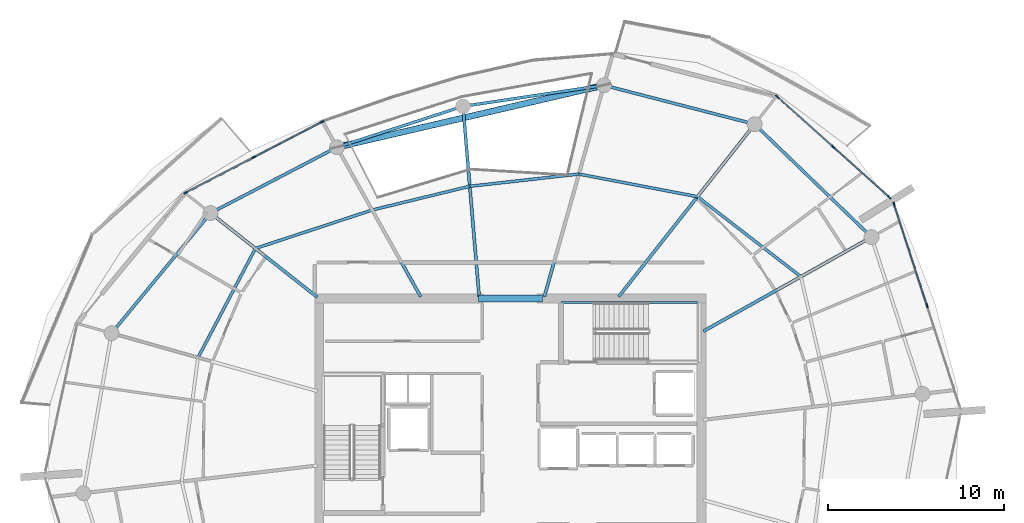
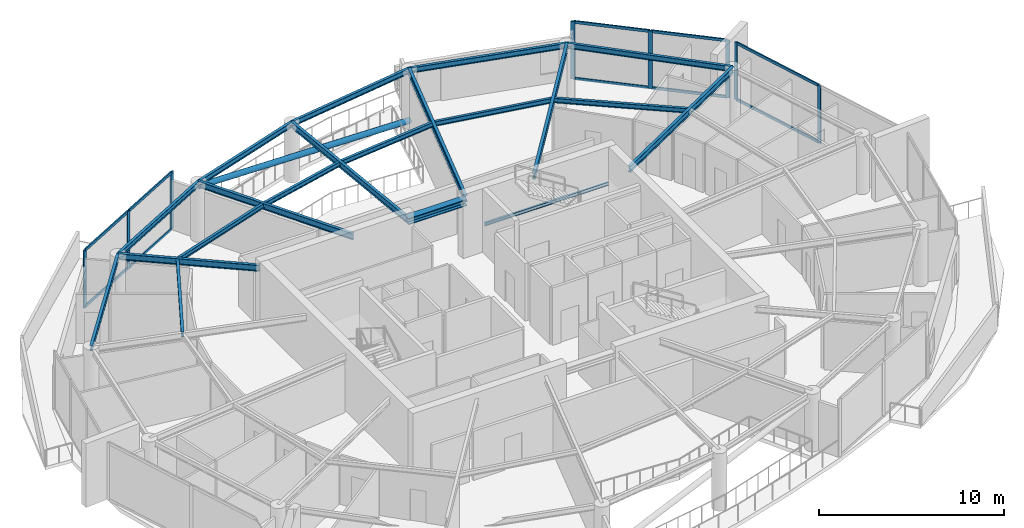
# One storey, part 7 of 21: 20 beams, 19 members, 3 elements without a shape of their own.
"""IFC4 building model written with IfcOpenShell, lengths in metres."""

from ifc_helpers import new_model, si_unit, direction, frame, origin, origin_2d, place, context, subcontext, project, spatial, rectangle, hollow_circle, i_section, extrude, material, layer, layer_set, material_profile, profile_set, type_object, element, aggregate, save


model = new_model("IFC4")

# Units and contexts
model_context = context("Model", 3, precision=1e-05, world=origin(), true_north=direction((0.0, 1.0)))
body_context = subcontext(model_context, "Body", "Model", "MODEL_VIEW")
ifc_project = project(units=[si_unit("LENGTHUNIT", "METRE"), si_unit("AREAUNIT", "SQUARE_METRE"), si_unit("VOLUMEUNIT", "CUBIC_METRE"), si_unit("PLANEANGLEUNIT", "RADIAN"), si_unit("MASSUNIT", "GRAM", prefix="KILO")], contexts=[model_context])

# Site, building, storey
site_placement = place(None, origin())
site = spatial("IfcSite", under=ifc_project, at=site_placement, CompositionType="ELEMENT")
building_placement = place(site_placement, origin())
building = spatial("IfcBuilding", under=site, at=building_placement, Name="Kazma Halo Residences", CompositionType="ELEMENT")
storey_placement = place(building_placement, frame((0.0, 0.0, 338.89990234375)))
storey = spatial("IfcBuildingStorey", under=building, at=storey_placement, Name="L85", CompositionType="ELEMENT", Elevation=338.89990234375)

# Beams
ifc_material_1 = material(Name="Steel S355", Category="steel")
ifc_material_profile_1 = material_profile(ifc_material_1, i_section(OverallWidth=0.408935546875, OverallDepth=0.425048828125, WebThickness=0.03271484375, FlangeThickness=0.052490234375, FilletRadius=0.02001953125, at=origin_2d()), Name="W360x421")
ifc_profile_set_1 = profile_set([ifc_material_profile_1], Name="Steel S355")
beam_type_1 = type_object("IfcBeamType", Name="BM-CORE-W360H", PredefinedType="BEAM", material=ifc_profile_set_1)
beam_1_placement = place(storey_placement, frame((46.60009765625, 50.25, 3.587646484375), z_axis=(1.0, 0.0, 0.0), x_axis=(0.0, 1.0, 0.0)))
element("IfcBeam", 1, at=beam_1_placement, inside=storey, type_object=beam_type_1, Name="L85 core coupling beam N", PredefinedType="BEAM", context=body_context, shape_type="SweptSolid", body=[
    extrude(i_section(OverallWidth=0.408935546875, OverallDepth=0.425048828125, WebThickness=0.03271484375, FlangeThickness=0.052490234375, FilletRadius=0.02001953125, at=origin_2d()), origin(), (0.0, 0.0, 1.0), 3.64990234375),
])
ifc_material_profile_2 = material_profile(ifc_material_1, i_section(OverallWidth=0.177978515625, OverallDepth=0.406982421875, WebThickness=0.0078125, FlangeThickness=0.0126953125, FilletRadius=0.013916015625, at=origin_2d()), Name="W410x60")
ifc_profile_set_2 = profile_set([ifc_material_profile_2], Name="Steel S355")
beam_type_2 = type_object("IfcBeamType", Name="BM-RAD-W410", PredefinedType="BEAM", material=ifc_profile_set_2)
beam_2_placement = place(storey_placement, frame((59.39990234375, 48.38427734375, 3.5966796875), z_axis=(0.872499558985, 0.488614899047, 0.0), x_axis=(-0.488614899047, 0.872499558985, 0.0)))
element("IfcBeam", 2, at=beam_2_placement, inside=storey, type_object=beam_type_2, Name="L85 radial floor beam 01", PredefinedType="BEAM", context=body_context, shape_type="SweptSolid", body=[
    extrude(i_section(OverallWidth=0.177978515625, OverallDepth=0.406982421875, WebThickness=0.0078125, FlangeThickness=0.0126953125, FilletRadius=0.013916015625, at=origin_2d()), origin(), (0.0, 0.0, 1.0), 10.9609375),
])
beam_3_placement = place(storey_placement, frame((54.58251953125, 50.35009765625, 3.5966796875), z_axis=(0.619111191023, 0.785303338303, 0.0), x_axis=(-0.785303338303, 0.619111191023, 0.0)))
element("IfcBeam", 3, at=beam_3_placement, inside=storey, type_object=beam_type_2, Name="L85 radial floor beam 02", PredefinedType="BEAM", context=body_context, shape_type="SweptSolid", body=[
    extrude(i_section(OverallWidth=0.177978515625, OverallDepth=0.406982421875, WebThickness=0.0078125, FlangeThickness=0.0126953125, FilletRadius=0.013916015625, at=origin_2d()), origin(), (0.0, 0.0, 1.0), 12.4912109375),
])
beam_4_placement = place(storey_placement, frame((50.35498046875, 50.35009765625, 3.5966796875), z_axis=(0.271426752139, 0.962459099507, 0.0), x_axis=(-0.962459099507, 0.271426752139, 0.0)))
element("IfcBeam", 4, at=beam_4_placement, inside=storey, type_object=beam_type_2, Name="L85 radial floor beam 03", PredefinedType="BEAM", context=body_context, shape_type="SweptSolid", body=[
    extrude(i_section(OverallWidth=0.177978515625, OverallDepth=0.406982421875, WebThickness=0.0078125, FlangeThickness=0.0126953125, FilletRadius=0.013916015625, at=origin_2d()), origin(), (0.0, 0.0, 1.0), 12.495361328125),
])
beam_5_placement = place(storey_placement, frame((46.64990234375, 50.35009765625, 3.5966796875), z_axis=(-0.084644186962, 0.996411241212, 0.0), x_axis=(-0.996411241212, -0.084644186962, 0.0)))
element("IfcBeam", 5, at=beam_5_placement, inside=storey, type_object=beam_type_2, Name="L85 radial floor beam 04", PredefinedType="BEAM", context=body_context, shape_type="SweptSolid", body=[
    extrude(i_section(OverallWidth=0.177978515625, OverallDepth=0.406982421875, WebThickness=0.0078125, FlangeThickness=0.0126953125, FilletRadius=0.013916015625, at=origin_2d()), origin(), (0.0, 0.0, 1.0), 10.8681640625),
])
beam_6_placement = place(storey_placement, frame((43.32373046875, 50.35009765625, 3.5966796875), z_axis=(-0.488620919127, 0.872496187608, 0.0), x_axis=(-0.872496187608, -0.488620919127, 0.0)))
element("IfcBeam", 6, at=beam_6_placement, inside=storey, type_object=beam_type_2, Name="L85 radial floor beam 05", PredefinedType="BEAM", context=body_context, shape_type="SweptSolid", body=[
    extrude(i_section(OverallWidth=0.177978515625, OverallDepth=0.406982421875, WebThickness=0.0078125, FlangeThickness=0.0126953125, FilletRadius=0.013916015625, at=origin_2d()), origin(), (0.0, 0.0, 1.0), 9.74267578125),
])
beam_7_placement = place(storey_placement, frame((37.449951171875, 50.31689453125, 3.5966796875), z_axis=(-0.785318728612, 0.619091668892, 0.0), x_axis=(-0.619091668892, -0.785318728612, 0.0)))
element("IfcBeam", 7, at=beam_7_placement, inside=storey, type_object=beam_type_2, Name="L85 radial floor beam 06", PredefinedType="BEAM", context=body_context, shape_type="SweptSolid", body=[
    extrude(i_section(OverallWidth=0.177978515625, OverallDepth=0.406982421875, WebThickness=0.0078125, FlangeThickness=0.0126953125, FilletRadius=0.013916015625, at=origin_2d()), origin(), (0.0, 0.0, 1.0), 7.7373046875),
])
ifc_material_profile_3 = material_profile(ifc_material_1, i_section(OverallWidth=0.1650390625, OverallDepth=0.31005859375, WebThickness=0.005859375, FlangeThickness=0.009765625, FilletRadius=0.011962890625, at=origin_2d()), Name="W310x38.7")
ifc_profile_set_3 = profile_set([ifc_material_profile_3], Name="Steel S355")
beam_type_3 = type_object("IfcBeamType", Name="BM-SEC-W310B", PredefinedType="JOIST", material=ifc_profile_set_3)
beam_8_placement = place(storey_placement, frame((64.94677734375, 51.490478515625, 3.64501953125), z_axis=(-0.790875999212, 0.611976432447, 0.0), x_axis=(-0.611976432447, -0.790875999212, 0.0)))
element("IfcBeam", 8, at=beam_8_placement, inside=storey, type_object=beam_type_3, Name="L85 circumferential floor joist 01", PredefinedType="JOIST", context=body_context, shape_type="SweptSolid", body=[
    extrude(i_section(OverallWidth=0.1650390625, OverallDepth=0.31005859375, WebThickness=0.005859375, FlangeThickness=0.009765625, FilletRadius=0.011962890625, at=origin_2d()), origin(), (0.0, 0.0, 1.0), 7.433349609375),
])
beam_9_placement = place(storey_placement, frame((59.06787109375, 56.03955078125, 3.64501953125), z_axis=(-0.982319268566, 0.187213393228, 0.0), x_axis=(-0.187213393228, -0.982319268566, 0.0)))
element("IfcBeam", 9, at=beam_9_placement, inside=storey, type_object=beam_type_3, Name="L85 circumferential floor joist 02", PredefinedType="JOIST", context=body_context, shape_type="SweptSolid", body=[
    extrude(i_section(OverallWidth=0.1650390625, OverallDepth=0.31005859375, WebThickness=0.005859375, FlangeThickness=0.009765625, FilletRadius=0.011962890625, at=origin_2d()), origin(), (0.0, 0.0, 1.0), 6.8671875),
])
beam_10_placement = place(storey_placement, frame((52.322021484375, 57.3251953125, 3.64501953125), z_axis=(-0.993802889249, -0.111156724138, 0.0), x_axis=(0.111156724138, -0.993802889249, 0.0)))
element("IfcBeam", 10, at=beam_10_placement, inside=storey, type_object=beam_type_3, Name="L85 circumferential floor joist 03", PredefinedType="JOIST", context=body_context, shape_type="SweptSolid", body=[
    extrude(i_section(OverallWidth=0.1650390625, OverallDepth=0.31005859375, WebThickness=0.005859375, FlangeThickness=0.009765625, FilletRadius=0.011962890625, at=origin_2d()), origin(), (0.0, 0.0, 1.0), 6.244384765625),
])
beam_11_placement = place(storey_placement, frame((46.116455078125, 56.631103515625, 3.64501953125), z_axis=(-0.971680327871, -0.236299260321, 0.0), x_axis=(0.236299260321, -0.971680327871, 0.0)))
element("IfcBeam", 11, at=beam_11_placement, inside=storey, type_object=beam_type_3, Name="L85 circumferential floor joist 04", PredefinedType="JOIST", context=body_context, shape_type="SweptSolid", body=[
    extrude(i_section(OverallWidth=0.1650390625, OverallDepth=0.31005859375, WebThickness=0.005859375, FlangeThickness=0.009765625, FilletRadius=0.011962890625, at=origin_2d()), origin(), (0.0, 0.0, 1.0), 5.715576171875),
])
beam_12_placement = place(storey_placement, frame((40.562744140625, 55.280517578125, 3.64501953125), z_axis=(-0.949836914763, -0.312745640024, 0.0), x_axis=(0.312745640024, -0.949836914763, 0.0)))
element("IfcBeam", 12, at=beam_12_placement, inside=storey, type_object=beam_type_3, Name="L85 circumferential floor joist 05", PredefinedType="JOIST", context=body_context, shape_type="SweptSolid", body=[
    extrude(i_section(OverallWidth=0.1650390625, OverallDepth=0.31005859375, WebThickness=0.005859375, FlangeThickness=0.009765625, FilletRadius=0.011962890625, at=origin_2d()), origin(), (0.0, 0.0, 1.0), 6.987548828125),
])
beam_13_placement = place(storey_placement, frame((33.92578125, 53.09521484375, 3.64501953125), z_axis=(-0.465641668836, -0.884973353409, 0.0), x_axis=(0.884973353409, -0.465641668836, 0.0)))
element("IfcBeam", 13, at=beam_13_placement, inside=storey, type_object=beam_type_3, Name="L85 circumferential floor joist 06", PredefinedType="JOIST", context=body_context, shape_type="SweptSolid", body=[
    extrude(i_section(OverallWidth=0.1650390625, OverallDepth=0.31005859375, WebThickness=0.005859375, FlangeThickness=0.009765625, FilletRadius=0.011962890625, at=origin_2d()), origin(), (0.0, 0.0, 1.0), 7.01171875),
])
ifc_material_profile_4 = material_profile(ifc_material_1, i_section(OverallWidth=0.1708984375, OverallDepth=0.35498046875, WebThickness=0.007080078125, FlangeThickness=0.01171875, FilletRadius=0.013916015625, at=origin_2d()), Name="W360x51")
ifc_profile_set_4 = profile_set([ifc_material_profile_4], Name="Steel S355")
beam_type_4 = type_object("IfcBeamType", Name="BM-SPN-W360", PredefinedType="BEAM", material=ifc_profile_set_4)
beam_14_placement = place(storey_placement, frame((68.96337890625, 53.739990234375, 3.62255859375), z_axis=(-0.71933681628, 0.694661460529, 0.0), x_axis=(-0.694661460529, -0.71933681628, 0.0)))
element("IfcBeam", 14, at=beam_14_placement, inside=storey, type_object=beam_type_4, Name="L85 perimeter ring beam 01", PredefinedType="BEAM", context=body_context, shape_type="SweptSolid", body=[
    extrude(i_section(OverallWidth=0.1708984375, OverallDepth=0.35498046875, WebThickness=0.007080078125, FlangeThickness=0.01171875, FilletRadius=0.013916015625, at=origin_2d()), origin(), (0.0, 0.0, 1.0), 9.2412109375),
])
beam_15_placement = place(storey_placement, frame((62.31591796875, 60.159423828125, 3.62255859375), z_axis=(-0.968124082793, 0.250471076805, 0.0), x_axis=(-0.250471076805, -0.968124082793, 0.0)))
element("IfcBeam", 15, at=beam_15_placement, inside=storey, type_object=beam_type_4, Name="L85 perimeter ring beam 02", PredefinedType="BEAM", context=body_context, shape_type="SweptSolid", body=[
    extrude(i_section(OverallWidth=0.1708984375, OverallDepth=0.35498046875, WebThickness=0.007080078125, FlangeThickness=0.01171875, FilletRadius=0.013916015625, at=origin_2d()), origin(), (0.0, 0.0, 1.0), 8.8515625),
])
beam_16_placement = place(storey_placement, frame((53.74658203125, 62.37646484375, 3.62255859375), z_axis=(-0.989030710595, -0.147710031817, 0.0), x_axis=(0.147710031817, -0.989030710595, 0.0)))
element("IfcBeam", 16, at=beam_16_placement, inside=storey, type_object=beam_type_4, Name="L85 perimeter ring beam 03", PredefinedType="BEAM", context=body_context, shape_type="SweptSolid", body=[
    extrude(i_section(OverallWidth=0.1708984375, OverallDepth=0.35498046875, WebThickness=0.007080078125, FlangeThickness=0.01171875, FilletRadius=0.013916015625, at=origin_2d()), origin(), (0.0, 0.0, 1.0), 8.10546875),
])
beam_17_placement = place(storey_placement, frame((45.72998046875, 61.17919921875, 3.62255859375), z_axis=(-0.951056684666, -0.309016476183, 0.0), x_axis=(0.309016476183, -0.951056684666, 0.0)))
element("IfcBeam", 17, at=beam_17_placement, inside=storey, type_object=beam_type_4, Name="L85 perimeter ring beam 04", PredefinedType="BEAM", context=body_context, shape_type="SweptSolid", body=[
    extrude(i_section(OverallWidth=0.1708984375, OverallDepth=0.35498046875, WebThickness=0.007080078125, FlangeThickness=0.01171875, FilletRadius=0.013916015625, at=origin_2d()), origin(), (0.0, 0.0, 1.0), 7.53564453125),
])
beam_18_placement = place(storey_placement, frame((38.563232421875, 58.8505859375, 3.62255859375), z_axis=(-0.886957269655, -0.461851493238, 0.0), x_axis=(0.461851493238, -0.886957269655, 0.0)))
element("IfcBeam", 18, at=beam_18_placement, inside=storey, type_object=beam_type_4, Name="L85 perimeter ring beam 05", PredefinedType="BEAM", context=body_context, shape_type="SweptSolid", body=[
    extrude(i_section(OverallWidth=0.1708984375, OverallDepth=0.35498046875, WebThickness=0.007080078125, FlangeThickness=0.01171875, FilletRadius=0.013916015625, at=origin_2d()), origin(), (0.0, 0.0, 1.0), 8.105712890625),
])
beam_19_placement = place(storey_placement, frame((31.373779296875, 55.10693359375, 3.62255859375), z_axis=(-0.636004986424, -0.771684946881, 0.0), x_axis=(0.771684946881, -0.636004986424, 0.0)))
element("IfcBeam", 19, at=beam_19_placement, inside=storey, type_object=beam_type_4, Name="L85 perimeter ring beam 06", PredefinedType="BEAM", context=body_context, shape_type="SweptSolid", body=[
    extrude(i_section(OverallWidth=0.1708984375, OverallDepth=0.35498046875, WebThickness=0.007080078125, FlangeThickness=0.01171875, FilletRadius=0.013916015625, at=origin_2d()), origin(), (0.0, 0.0, 1.0), 8.85107421875),
])
ifc_material_profile_5 = material_profile(ifc_material_1, i_section(OverallWidth=0.133056640625, OverallDepth=0.20703125, WebThickness=0.005859375, FlangeThickness=0.00830078125, FilletRadius=0.010009765625, at=origin_2d()), Name="W200x26.6")
ifc_profile_set_5 = profile_set([ifc_material_profile_5], Name="Steel S355")
beam_type_5 = type_object("IfcBeamType", Name="BM-TRIM-W200", PredefinedType="BEAM", material=ifc_profile_set_5)
beam_20_placement = place(storey_placement, frame((51.31005859375, 50.02001953125, 1.795166015625), z_axis=(1.0, 0.0, 0.0), x_axis=(0.0, 1.0, 0.0)))
element("IfcBeam", 20, at=beam_20_placement, inside=storey, type_object=beam_type_5, Name="L85 ST-02 landing north wall ledger", PredefinedType="BEAM", context=body_context, shape_type="SweptSolid", body=[
    extrude(i_section(OverallWidth=0.133056640625, OverallDepth=0.20703125, WebThickness=0.005859375, FlangeThickness=0.00830078125, FilletRadius=0.010009765625, at=origin_2d()), origin(), (0.0, 0.0, 1.0), 7.760009765625),
])

# Curtain wall, members
ifc_material_2 = material(Name="Aluminium AW-6063 T6 and Triple-Silver Low-E Glass", Category="aluminium")
ifc_layer = layer(ifc_material_2, 0.239990234375)
ifc_layer_set = layer_set([ifc_layer], Name="Aluminium AW-6063 T6 and Triple-Silver Low-E Glass")
curtain_wall_type = type_object("IfcCurtainWallType", Name="CW-SYS-6", PredefinedType="NOTDEFINED", material=ifc_layer_set)
curtain_wall_1_placement = place(storey_placement, origin())
curtain_wall_1 = element("IfcCurtainWall", 21, at=curtain_wall_1_placement, inside=storey, type_object=curtain_wall_type, Name="L85 unitised curtain wall B01", PredefinedType="NOTDEFINED")
ifc_material_3 = material(Name="Aluminium AW-6063 T6", Category="aluminium")
ifc_material_profile_6 = material_profile(ifc_material_3, rectangle(XDim=0.080078125, YDim=0.239990234375, at=origin_2d()), Name="CWM-80x240")
ifc_profile_set_6 = profile_set([ifc_material_profile_6], Name="Aluminium AW-6063 T6")
member_type_1 = type_object("IfcMemberType", Name="CW-SYS-6-MUL", PredefinedType="MULLION", material=ifc_profile_set_6)
member_1_placement = place(storey_placement, frame((69.968017578125, 56.013916015625, 0.0), z_axis=(0.0, 0.0, 1.0), x_axis=(-0.667757559118, -0.744378829791, 0.0)))
member_1 = element("IfcMember", 22, at=member_1_placement, type_object=member_type_1, Name="CWS-6 mullion 1", PredefinedType="MULLION", context=body_context, shape_type="SweptSolid", body=[
    extrude(rectangle(XDim=0.080078125, YDim=0.239990234375, at=origin_2d()), origin(), (0.0, 0.0, 1.0), 3.800048828125),
])
member_2_placement = place(storey_placement, frame((66.78466796875, 58.86962890625, 0.0), z_axis=(0.0, 0.0, 1.0), x_axis=(-0.667757559118, -0.744378829791, 0.0)))
member_2 = element("IfcMember", 23, at=member_2_placement, type_object=member_type_1, Name="CWS-6 mullion 2", PredefinedType="MULLION", context=body_context, shape_type="SweptSolid", body=[
    extrude(rectangle(XDim=0.080078125, YDim=0.239990234375, at=origin_2d()), origin(), (0.0, 0.0, 1.0), 3.800048828125),
])
member_3_placement = place(storey_placement, frame((63.60107421875, 61.7255859375, 0.0), z_axis=(0.0, 0.0, 1.0), x_axis=(-0.667757559118, -0.744378829791, 0.0)))
member_3 = element("IfcMember", 24, at=member_3_placement, type_object=member_type_1, Name="CWS-6 mullion 3", PredefinedType="MULLION", context=body_context, shape_type="SweptSolid", body=[
    extrude(rectangle(XDim=0.080078125, YDim=0.239990234375, at=origin_2d()), origin(), (0.0, 0.0, 1.0), 3.800048828125),
])

curtain_wall_2_placement = place(storey_placement, origin())
curtain_wall_2 = element("IfcCurtainWall", 25, at=curtain_wall_2_placement, inside=storey, type_object=curtain_wall_type, Name="L85 unitised curtain wall B05", PredefinedType="NOTDEFINED")
member_4_placement = place(storey_placement, frame((37.709716796875, 60.29296875, 0.0), z_axis=(0.0, 0.0, 1.0), x_axis=(0.460796020861, -0.887506071618, 0.0)))
member_4 = element("IfcMember", 26, at=member_4_placement, type_object=member_type_1, Name="CWS-6 mullion 1", PredefinedType="MULLION", context=body_context, shape_type="SweptSolid", body=[
    extrude(rectangle(XDim=0.080078125, YDim=0.239990234375, at=origin_2d()), origin(), (0.0, 0.0, 1.0), 3.800048828125),
])
member_5_placement = place(storey_placement, frame((33.83447265625, 58.28076171875, 0.0), z_axis=(0.0, 0.0, 1.0), x_axis=(0.460796020861, -0.887506071618, 0.0)))
member_5 = element("IfcMember", 27, at=member_5_placement, type_object=member_type_1, Name="CWS-6 mullion 2", PredefinedType="MULLION", context=body_context, shape_type="SweptSolid", body=[
    extrude(rectangle(XDim=0.080078125, YDim=0.239990234375, at=origin_2d()), origin(), (0.0, 0.0, 1.0), 3.800048828125),
])
member_6_placement = place(storey_placement, frame((29.958984375, 56.268798828125, 0.0), z_axis=(0.0, 0.0, 1.0), x_axis=(0.460796020861, -0.887506071618, 0.0)))
member_6 = element("IfcMember", 28, at=member_6_placement, type_object=member_type_1, Name="CWS-6 mullion 3", PredefinedType="MULLION", context=body_context, shape_type="SweptSolid", body=[
    extrude(rectangle(XDim=0.080078125, YDim=0.239990234375, at=origin_2d()), origin(), (0.0, 0.0, 1.0), 3.800048828125),
])

curtain_wall_3_placement = place(storey_placement, origin())
curtain_wall_3 = element("IfcCurtainWall", 29, at=curtain_wall_3_placement, inside=storey, type_object=curtain_wall_type, Name="L85 unitised curtain wall B16", PredefinedType="NOTDEFINED")
member_7_placement = place(storey_placement, frame((72.12255859375, 49.837890625, 0.0), z_axis=(0.0, 0.0, 1.0), x_axis=(-0.951055886462, -0.309018932797, 0.0)))
member_7 = element("IfcMember", 30, at=member_7_placement, type_object=member_type_1, Name="CWS-6 mullion 2", PredefinedType="MULLION", context=body_context, shape_type="SweptSolid", body=[
    extrude(rectangle(XDim=0.080078125, YDim=0.239990234375, at=origin_2d()), origin(), (0.0, 0.0, 1.0), 3.800048828125),
])
member_8_placement = place(storey_placement, frame((70.245849609375, 55.61328125, 0.0), z_axis=(0.0, 0.0, 1.0), x_axis=(-0.951055886462, -0.309018932797, 0.0)))
member_8 = element("IfcMember", 31, at=member_8_placement, type_object=member_type_1, Name="CWS-6 mullion 3", PredefinedType="MULLION", context=body_context, shape_type="SweptSolid", body=[
    extrude(rectangle(XDim=0.080078125, YDim=0.239990234375, at=origin_2d()), origin(), (0.0, 0.0, 1.0), 3.800048828125),
])

# Member
ifc_material_profile_7 = material_profile(ifc_material_3, rectangle(XDim=0.080078125, YDim=0.179931640625, at=origin_2d()), Name="CWT-80x180")
ifc_profile_set_7 = profile_set([ifc_material_profile_7], Name="Aluminium AW-6063 T6")
member_type_2 = type_object("IfcMemberType", Name="CW-SYS-6-TRN", PredefinedType="USERDEFINED", material=ifc_profile_set_7)
member_9_placement = place(storey_placement, frame((69.938232421875, 56.04052734375, 0.0400390625), z_axis=(-0.744349048391, 0.66779075627, 0.0), x_axis=(-0.66779075627, -0.744349048391, 0.0)))
member_9 = element("IfcMember", 32, at=member_9_placement, type_object=member_type_2, Name="CWS-6 transom 1.1", ObjectType="TRANSOM", PredefinedType="USERDEFINED", context=body_context, shape_type="SweptSolid", body=[
    extrude(rectangle(XDim=0.080078125, YDim=0.179931640625, at=origin_2d()), origin(), (0.0, 0.0, 1.0), 4.19677734375),
])

member_10_placement = place(storey_placement, frame((69.938232421875, 56.04052734375, 3.760009765625), z_axis=(-0.744349048391, 0.66779075627, 0.0), x_axis=(-0.66779075627, -0.744349048391, 0.0)))
member_10 = element("IfcMember", 33, at=member_10_placement, type_object=member_type_2, Name="CWS-6 transom 1.2", ObjectType="TRANSOM", PredefinedType="USERDEFINED", context=body_context, shape_type="SweptSolid", body=[
    extrude(rectangle(XDim=0.080078125, YDim=0.179931640625, at=origin_2d()), origin(), (0.0, 0.0, 1.0), 4.19677734375),
])

member_11_placement = place(storey_placement, frame((66.7548828125, 58.896484375, 0.0400390625), z_axis=(-0.744403905463, 0.667729605103, 0.0), x_axis=(-0.667729605103, -0.744403905463, 0.0)))
member_11 = element("IfcMember", 34, at=member_11_placement, type_object=member_type_2, Name="CWS-6 transom 2.1", ObjectType="TRANSOM", PredefinedType="USERDEFINED", context=body_context, shape_type="SweptSolid", body=[
    extrude(rectangle(XDim=0.080078125, YDim=0.179931640625, at=origin_2d()), origin(), (0.0, 0.0, 1.0), 4.19677734375),
])

member_12_placement = place(storey_placement, frame((66.7548828125, 58.896484375, 3.760009765625), z_axis=(-0.744403905463, 0.667729605103, 0.0), x_axis=(-0.667729605103, -0.744403905463, 0.0)))
member_12 = element("IfcMember", 35, at=member_12_placement, type_object=member_type_2, Name="CWS-6 transom 2.2", ObjectType="TRANSOM", PredefinedType="USERDEFINED", context=body_context, shape_type="SweptSolid", body=[
    extrude(rectangle(XDim=0.080078125, YDim=0.179931640625, at=origin_2d()), origin(), (0.0, 0.0, 1.0), 4.19677734375),
])

aggregate(curtain_wall_1, [member_1, member_2, member_3, member_9, member_10, member_11, member_12])

member_13_placement = place(storey_placement, frame((37.67431640625, 60.2744140625, 0.0400390625), z_axis=(-0.88752339951, -0.460762645321, 0.0), x_axis=(0.460762645321, -0.88752339951, 0.0)))
member_13 = element("IfcMember", 36, at=member_13_placement, type_object=member_type_2, Name="CWS-6 transom 1.1", ObjectType="TRANSOM", PredefinedType="USERDEFINED", context=body_context, shape_type="SweptSolid", body=[
    extrude(rectangle(XDim=0.080078125, YDim=0.179931640625, at=origin_2d()), origin(), (0.0, 0.0, 1.0), 4.28662109375),
])

member_14_placement = place(storey_placement, frame((37.67431640625, 60.2744140625, 3.760009765625), z_axis=(-0.88752339951, -0.460762645321, 0.0), x_axis=(0.460762645321, -0.88752339951, 0.0)))
member_14 = element("IfcMember", 37, at=member_14_placement, type_object=member_type_2, Name="CWS-6 transom 1.2", ObjectType="TRANSOM", PredefinedType="USERDEFINED", context=body_context, shape_type="SweptSolid", body=[
    extrude(rectangle(XDim=0.080078125, YDim=0.179931640625, at=origin_2d()), origin(), (0.0, 0.0, 1.0), 4.28662109375),
])

member_15_placement = place(storey_placement, frame((33.798828125, 58.262451171875, 0.0400390625), z_axis=(-0.887488013571, -0.4608307995, 0.0), x_axis=(0.4608307995, -0.887488013571, 0.0)))
member_15 = element("IfcMember", 38, at=member_15_placement, type_object=member_type_2, Name="CWS-6 transom 2.1", ObjectType="TRANSOM", PredefinedType="USERDEFINED", context=body_context, shape_type="SweptSolid", body=[
    extrude(rectangle(XDim=0.080078125, YDim=0.179931640625, at=origin_2d()), origin(), (0.0, 0.0, 1.0), 4.286376953125),
])

member_16_placement = place(storey_placement, frame((33.798828125, 58.262451171875, 3.760009765625), z_axis=(-0.887488013571, -0.4608307995, 0.0), x_axis=(0.4608307995, -0.887488013571, 0.0)))
member_16 = element("IfcMember", 39, at=member_16_placement, type_object=member_type_2, Name="CWS-6 transom 2.2", ObjectType="TRANSOM", PredefinedType="USERDEFINED", context=body_context, shape_type="SweptSolid", body=[
    extrude(rectangle(XDim=0.080078125, YDim=0.179931640625, at=origin_2d()), origin(), (0.0, 0.0, 1.0), 4.286376953125),
])

aggregate(curtain_wall_2, [member_4, member_5, member_6, member_13, member_14, member_15, member_16])

member_17_placement = place(storey_placement, frame((72.110107421875, 49.8759765625, 0.0400390625), z_axis=(-0.309019743831, 0.951055622938, 0.0), x_axis=(-0.951055622938, -0.309019743831, 0.0)))
member_17 = element("IfcMember", 40, at=member_17_placement, type_object=member_type_2, Name="CWS-6 transom 2.1", ObjectType="TRANSOM", PredefinedType="USERDEFINED", context=body_context, shape_type="SweptSolid", body=[
    extrude(rectangle(XDim=0.080078125, YDim=0.179931640625, at=origin_2d()), origin(), (0.0, 0.0, 1.0), 5.992431640625),
])

member_18_placement = place(storey_placement, frame((72.110107421875, 49.8759765625, 3.760009765625), z_axis=(-0.309019743831, 0.951055622938, 0.0), x_axis=(-0.951055622938, -0.309019743831, 0.0)))
member_18 = element("IfcMember", 41, at=member_18_placement, type_object=member_type_2, Name="CWS-6 transom 2.2", ObjectType="TRANSOM", PredefinedType="USERDEFINED", context=body_context, shape_type="SweptSolid", body=[
    extrude(rectangle(XDim=0.080078125, YDim=0.179931640625, at=origin_2d()), origin(), (0.0, 0.0, 1.0), 5.992431640625),
])

aggregate(curtain_wall_3, [member_7, member_8, member_17, member_18])

ifc_material_profile_8 = material_profile(ifc_material_1, hollow_circle(Radius=0.177734375, WallThickness=0.012451171875, at=origin_2d()), Name="CHS355.6x12.5")
ifc_profile_set_8 = profile_set([ifc_material_profile_8], Name="Steel S355")
member_type_3 = type_object("IfcMemberType", Name="MBR-PORT-CHS355", PredefinedType="BRACE", material=ifc_profile_set_8)
member_19_placement = place(storey_placement, frame((53.74658203125, 62.37646484375, 0.300048828125), z_axis=(-0.95513346443, -0.221801184951, 0.196276079745), x_axis=(0.226201096399, -0.974080624994, 0.0)))
element("IfcMember", 42, at=member_19_placement, inside=storey, type_object=member_type_3, Name="L85 upper wind-portal brace NNW", PredefinedType="BRACE", context=body_context, shape_type="SweptSolid", body=[
    extrude(hollow_circle(Radius=0.177734375, WallThickness=0.012451171875, at=origin_2d()), origin(), (0.0, 0.0, 1.0), 15.896484375),
])

save(model, "model.ifc")
